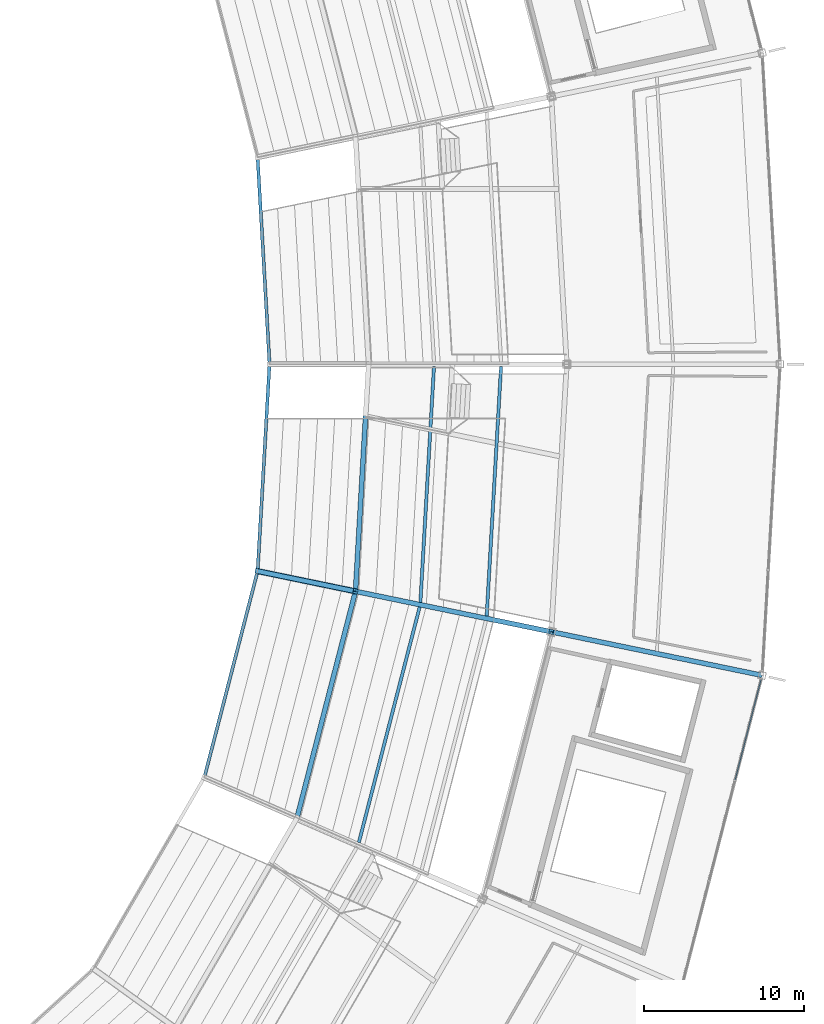
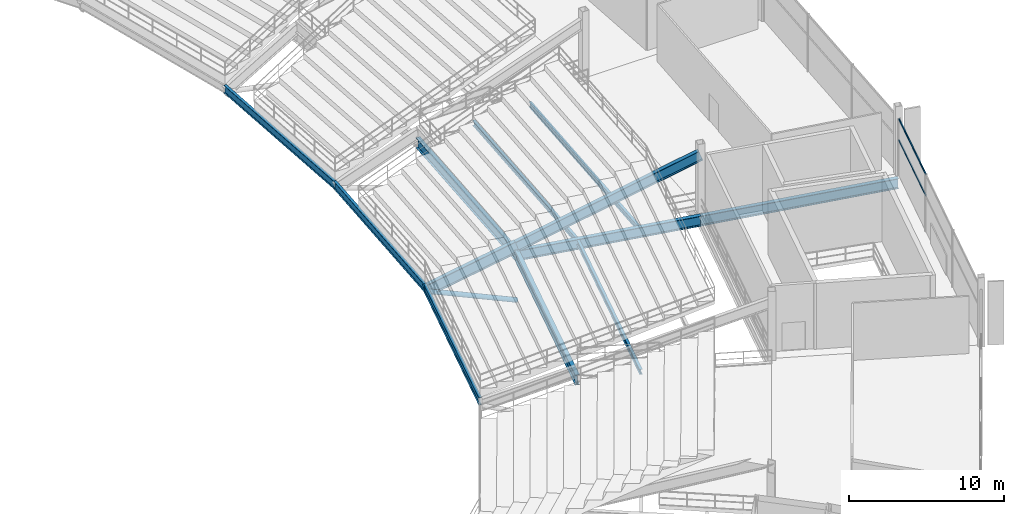
# One storey, part 68 of 186: 12 beams, 3 members, 1 element without a shape of its own.
"""IFC4 building model written with IfcOpenShell, lengths in metres."""

import ifcopenshell
import ifcopenshell.guid

model = None  # the IFC model being written
_history = None  # IfcOwnerHistory: only IFC2X3 demands one
_inside = {}  # id of a spatial element -> (the spatial element, [elements in it])
_under = {}  # id of a project, library or spatial element -> (it, [spatial elements below it])
_declared = {}  # id of a project -> (the project, [libraries it declares])
_typed = {}  # id of a type object -> (the type object, [elements of that type])
_made_of = {}  # id of a material, layer set ... -> (it, [elements and type objects made of it])


def new_model(schema):
    """Start an empty IFC model of exactly this schema.

    Asked for "IFC4X3", IfcOpenShell would pick the latest addendum, in which some entities
    have other attributes; the version numbers below select the first issue.
    IFC2X3 requires an IfcOwnerHistory on every rooted entity: one is made here for all.
    """
    global model, _history
    if schema == "IFC4X3":
        model = ifcopenshell.file(schema_version=(4, 3, 0, 0))
    else:
        model = ifcopenshell.file(schema=schema)
    _inside.clear()
    _under.clear()
    _declared.clear()
    _typed.clear()
    _made_of.clear()
    _history = None
    if model.schema == "IFC2X3":
        org = make("IfcOrganization", Name="unknown")
        user = make(
            "IfcPersonAndOrganization",
            ThePerson=make("IfcPerson", FamilyName="unknown"),
            TheOrganization=org,
        )
        app = make(
            "IfcApplication",
            ApplicationDeveloper=org,
            Version="unknown",
            ApplicationFullName="unknown",
            ApplicationIdentifier="unknown",
        )
        _history = make(
            "IfcOwnerHistory",
            OwningUser=user,
            OwningApplication=app,
            ChangeAction="ADDED",
            CreationDate=0,
        )
    return model


def make(cls, **values):
    """One entity of the class cls with the attributes given. An attribute that is None is left unset."""
    return model.create_entity(
        cls, **{name: value for name, value in values.items() if value is not None}
    )


def rooted(cls, **values):
    """An entity with a GlobalId (a new one), such as an element, a storey or a relation."""
    return make(cls, GlobalId=ifcopenshell.guid.new(), OwnerHistory=_history, **values)


def si_unit(unit_type, name, prefix=None):
    """IfcSIUnit, for example si_unit("LENGTHUNIT", "METRE", prefix="MILLI")."""
    return make("IfcSIUnit", UnitType=unit_type, Prefix=prefix, Name=name)


def assignment(units):
    """IfcUnitAssignment: the units of a project."""
    return None if units is None else make("IfcUnitAssignment", Units=units)


def point(xyz):
    """IfcCartesianPoint."""
    return None if xyz is None else make("IfcCartesianPoint", Coordinates=xyz)


def direction(xyz):
    """IfcDirection."""
    return None if xyz is None else make("IfcDirection", DirectionRatios=xyz)


def frame(location, z_axis=None, x_axis=None):
    """IfcAxis2Placement3D, a coordinate frame: its origin and axes. An axis left out is left unset."""
    return make(
        "IfcAxis2Placement3D",
        Location=point(location),
        Axis=direction(z_axis),
        RefDirection=direction(x_axis),
    )


def frame_2d(location, x_axis=None):
    """IfcAxis2Placement2D, a coordinate frame in the plane: its origin and x axis."""
    return make(
        "IfcAxis2Placement2D", Location=point(location), RefDirection=direction(x_axis)
    )


def origin():
    """The frame at (0, 0, 0) with its axes left unset."""
    return frame((0.0, 0.0, 0.0))


def origin_2d():
    """The frame at (0, 0) in the plane with its x axis left unset."""
    return frame_2d((0.0, 0.0))


def place(relative_to, where):
    """IfcLocalPlacement: puts the frame where relative to a parent placement (None: the world)."""
    return make(
        "IfcLocalPlacement", PlacementRelTo=relative_to, RelativePlacement=where
    )


def context(
    kind, dimensions, precision=None, world=None, true_north=None, identifier=None
):
    """IfcGeometricRepresentationContext, for example the 3D "Model" context."""
    return make(
        "IfcGeometricRepresentationContext",
        ContextIdentifier=identifier,
        ContextType=kind,
        CoordinateSpaceDimension=dimensions,
        Precision=precision,
        WorldCoordinateSystem=world,
        TrueNorth=true_north,
    )


def subcontext(parent, identifier, kind, view, scale=None):
    """IfcGeometricRepresentationSubContext, for example "Body" below "Model"."""
    return make(
        "IfcGeometricRepresentationSubContext",
        ContextIdentifier=identifier,
        ContextType=kind,
        ParentContext=parent,
        TargetScale=scale,
        TargetView=view,
    )


def project(units=None, contexts=None):
    """IfcProject with its units and contexts."""
    return rooted(
        "IfcProject",
        Name="project",
        RepresentationContexts=contexts,
        UnitsInContext=assignment(units),
    )


def spatial(cls, under=None, at=None, **own):
    """A site, building, storey or space (cls), placed at a placement, below another one or the project."""
    s = rooted(cls, ObjectPlacement=at, **own)
    if under is not None:
        _under.setdefault(under.id(), (under, []))[1].append(s)
    return s


def profile(cls, at=None, kind="AREA", **sizes):
    """A parametric profile (cls). Its sizes go by their IFC names, for example OverallWidth=200.0."""
    return make(cls, ProfileType=kind, Position=at, **sizes)


def hollow_rectangle(**sizes):
    """IfcRectangleHollowProfileDef."""
    return profile("IfcRectangleHollowProfileDef", **sizes)


def hollow_circle(**sizes):
    """IfcCircleHollowProfileDef."""
    return profile("IfcCircleHollowProfileDef", **sizes)


def i_section(**sizes):
    """IfcIShapeProfileDef."""
    return profile("IfcIShapeProfileDef", **sizes)


def extrude(swept, where, along, depth):
    """IfcExtrudedAreaSolid: the profile swept, set in the frame where, extruded along a direction by depth."""
    return make(
        "IfcExtrudedAreaSolid",
        SweptArea=swept,
        Position=where,
        ExtrudedDirection=direction(along),
        Depth=depth,
    )


def shape(context_of_items, identifier, shape_type, items):
    """IfcShapeRepresentation: the items that make up one representation, for example the "Body"."""
    return make(
        "IfcShapeRepresentation",
        ContextOfItems=context_of_items,
        RepresentationIdentifier=identifier,
        RepresentationType=shape_type,
        Items=items,
    )


def material(Name=None, Category=None):
    """IfcMaterial."""
    return make("IfcMaterial", Name=Name, Category=Category)


def layer(
    of_material, thickness, ventilated=None, Name=None, Category=None, Priority=None
):
    """IfcMaterialLayer: one layer of a wall or slab, of a material (None: an air gap)."""
    return make(
        "IfcMaterialLayer",
        Material=of_material,
        LayerThickness=thickness,
        IsVentilated=ventilated,
        Name=Name,
        Category=Category,
        Priority=Priority,
    )


def layer_set(layers, Name=None):
    """IfcMaterialLayerSet."""
    return make("IfcMaterialLayerSet", MaterialLayers=layers, LayerSetName=Name)


def material_profile(
    of_material, cross_section, Name=None, Category=None, Priority=None
):
    """IfcMaterialProfile: a cross section and its material."""
    return make(
        "IfcMaterialProfile",
        Name=Name,
        Material=of_material,
        Profile=cross_section,
        Priority=Priority,
        Category=Category,
    )


def profile_set(profiles, Name=None, composite=None):
    """IfcMaterialProfileSet."""
    return make(
        "IfcMaterialProfileSet",
        Name=Name,
        MaterialProfiles=profiles,
        CompositeProfile=composite,
    )


def made_of(thing, what):
    """Note that an element or type object is made of a material, layer set ...; save() writes the relation."""
    if what is not None:
        _made_of.setdefault(what.id(), (what, []))[1].append(thing)
    return thing


def type_object(cls, material=None, **own):
    """A type object (cls), such as IfcWallType, which elements share."""
    return made_of(rooted(cls, **own), material)


def element(
    cls,
    number,
    at=None,
    inside=None,
    cuts=None,
    type_object=None,
    material=None,
    context=None,
    identifier="Body",
    shape_type=None,
    held_by="IfcProductDefinitionShape",
    body=None,
    shapes=None,
    **own,
):
    """One element of the class cls, such as IfcWall. Its Tag is "e" and its number.

    at: its placement. inside: the storey or other place that contains it. cuts: it is an
    opening in that element (IfcRelVoidsElement). A single representation is given by context,
    identifier, shape_type and body (its items); several are given by shapes. held_by: the class
    of the entity that holds the representations. save() writes the other relations.
    """
    e = rooted(cls, Tag="e%d" % number, ObjectPlacement=at, **own)
    if body is not None:
        shapes = [shape(context, identifier, shape_type, body)]
    if shapes is not None:
        e.Representation = make(held_by, Representations=shapes)
    if inside is not None:
        _inside.setdefault(inside.id(), (inside, []))[1].append(e)
    if cuts is not None:
        rooted(
            "IfcRelVoidsElement", RelatingBuildingElement=cuts, RelatedOpeningElement=e
        )
    if type_object is not None:
        _typed.setdefault(type_object.id(), (type_object, []))[1].append(e)
    return made_of(e, material)


def aggregate(whole, parts):
    """IfcRelAggregates: a whole, such as a stair, and the parts it consists of."""
    return rooted("IfcRelAggregates", RelatingObject=whole, RelatedObjects=parts)


def save(model, path):
    """Write the relations noted so far, then the file.

    IfcRelAggregates (storeys below a building ...), IfcRelContainedInSpatialStructure (elements
    in a storey), IfcRelDefinesByType, IfcRelAssociatesMaterial and IfcRelDeclares: one each for
    every whole, place, type object, material and project.
    """
    for whole, parts in _under.values():
        aggregate(whole, parts)
    for where, things in _inside.values():
        rooted(
            "IfcRelContainedInSpatialStructure",
            RelatedElements=things,
            RelatingStructure=where,
        )
    for kind, things in _typed.values():
        rooted("IfcRelDefinesByType", RelatedObjects=things, RelatingType=kind)
    for what, things in _made_of.values():
        rooted("IfcRelAssociatesMaterial", RelatedObjects=things, RelatingMaterial=what)
    for by, libraries in _declared.values():
        rooted("IfcRelDeclares", RelatingContext=by, RelatedDefinitions=libraries)
    model.write(path)


model = new_model("IFC4")

# Units and contexts
model_context = context("Model", 3, precision=1e-05, world=origin(), true_north=direction((0.0, 1.0)))
body_context = subcontext(model_context, "Body", "Model", "MODEL_VIEW")
ifc_project = project(units=[si_unit("LENGTHUNIT", "METRE"), si_unit("AREAUNIT", "SQUARE_METRE"), si_unit("VOLUMEUNIT", "CUBIC_METRE"), si_unit("PLANEANGLEUNIT", "RADIAN"), si_unit("MASSUNIT", "GRAM", prefix="KILO")], contexts=[model_context])

# Site, building, storey
site_placement = place(None, origin())
site = spatial("IfcSite", under=ifc_project, at=site_placement, CompositionType="ELEMENT")
building_placement = place(site_placement, origin())
building = spatial("IfcBuilding", under=site, at=building_placement, Name="Kazemori Nagisa Stadium", CompositionType="ELEMENT")
storey_placement = place(building_placement, frame((0.0, 0.0, 20.39990234375)))
storey = spatial("IfcBuildingStorey", under=building, at=storey_placement, Name="L04", CompositionType="ELEMENT", Elevation=20.39990234375)

# Beams
ifc_material_1 = material(Name="Steel SN490B", Category="steel")
ifc_material_profile_1 = material_profile(ifc_material_1, i_section(OverallWidth=0.300048828125, OverallDepth=0.800048828125, WebThickness=0.013916015625, FlangeThickness=0.02587890625, FilletRadius=0.01806640625, at=origin_2d()), Name="H-800x300x14x26")
ifc_profile_set_1 = profile_set([ifc_material_profile_1], Name="Steel SN490B")
beam_type_1 = type_object("IfcBeamType", Name="Beam_BG-H800", PredefinedType="BEAM", material=ifc_profile_set_1)
beam_1_placement = place(storey_placement, frame((187.885986328125, 73.712890625, -0.699951171875), z_axis=(0.249966077383, 0.9682545947, 0.0), x_axis=(-0.9682545947, 0.249966077383, 0.0)))
element("IfcBeam", 1, at=beam_1_placement, inside=storey, type_object=beam_type_1, Name="Ring girder BG-H800 L04 R1-27", PredefinedType="BEAM", context=body_context, shape_type="SweptSolid", body=[
    extrude(i_section(OverallWidth=0.300048828125, OverallDepth=0.800048828125, WebThickness=0.013916015625, FlangeThickness=0.02587890625, FilletRadius=0.01806640625, at=origin_2d()), origin(), (0.0, 0.0, 1.0), 14.58984375),
])
beam_2_placement = place(storey_placement, frame((191.532958984375, 87.839599609375, -0.699951171875), z_axis=(0.057610061423, 0.998339161219, 0.0), x_axis=(-0.998339161219, 0.057610061423, 0.0)))
element("IfcBeam", 2, at=beam_2_placement, inside=storey, type_object=beam_type_1, Name="Ring girder BG-H800 L04 R1-28", PredefinedType="BEAM", context=body_context, shape_type="SweptSolid", body=[
    extrude(i_section(OverallWidth=0.300048828125, OverallDepth=0.800048828125, WebThickness=0.013916015625, FlangeThickness=0.02587890625, FilletRadius=0.01806640625, at=origin_2d()), origin(), (0.0, 0.0, 1.0), 14.183837890625),
])
beam_3_placement = place(storey_placement, frame((191.532958984375, 87.839599609375, -0.699951171875), z_axis=(0.979313861938, -0.202347127025, 0.0), x_axis=(0.202347127025, 0.979313861938, 0.0)))
element("IfcBeam", 3, at=beam_3_placement, inside=storey, type_object=beam_type_1, Name="Radial girder BG-H800 L04 R1-R2-28", PredefinedType="BEAM", context=body_context, shape_type="SweptSolid", body=[
    extrude(i_section(OverallWidth=0.300048828125, OverallDepth=0.800048828125, WebThickness=0.013916015625, FlangeThickness=0.02587890625, FilletRadius=0.01806640625, at=origin_2d()), origin(), (0.0, 0.0, 1.0), 12.46240234375),
])
beam_4_placement = place(storey_placement, frame((203.737548828125, 85.31787109375, -0.699951171875), z_axis=(0.979315516463, -0.202339119339, 0.0), x_axis=(0.202339119339, 0.979315516463, 0.0)))
element("IfcBeam", 4, at=beam_4_placement, inside=storey, type_object=beam_type_1, Name="Radial girder BG-H800 L04 R2-R3-28", PredefinedType="BEAM", context=body_context, shape_type="SweptSolid", body=[
    extrude(i_section(OverallWidth=0.300048828125, OverallDepth=0.800048828125, WebThickness=0.013916015625, FlangeThickness=0.02587890625, FilletRadius=0.01806640625, at=origin_2d()), origin(), (0.0, 0.0, 1.0), 13.4208984375),
])
ifc_material_profile_2 = material_profile(ifc_material_1, i_section(OverallWidth=0.199951171875, OverallDepth=0.39990234375, WebThickness=0.008056640625, FlangeThickness=0.012939453125, FilletRadius=0.012939453125, at=origin_2d()), Name="H-400x200x8x13")
ifc_profile_set_2 = profile_set([ifc_material_profile_2], Name="Steel SN490B")
beam_type_2 = type_object("IfcBeamType", Name="Beam_BJ-H400", PredefinedType="JOIST", material=ifc_profile_set_2)
beam_5_placement = place(storey_placement, frame((191.744384765625, 72.18701171875, -0.5), z_axis=(0.249963255877, 0.9682553231, 0.0), x_axis=(-0.9682553231, 0.249963255877, 0.0)))
element("IfcBeam", 5, at=beam_5_placement, inside=storey, type_object=beam_type_2, Name="Concourse joist BJ-H400 L04 B27-1", PredefinedType="JOIST", context=body_context, shape_type="SweptSolid", body=[
    extrude(i_section(OverallWidth=0.199951171875, OverallDepth=0.39990234375, WebThickness=0.008056640625, FlangeThickness=0.012939453125, FilletRadius=0.012939453125, at=origin_2d()), origin(), (0.0, 0.0, 1.0), 15.159423828125),
])
beam_6_placement = place(storey_placement, frame((195.578125, 87.150390625, -0.5), z_axis=(0.057615279138, 0.998338860112, 0.0), x_axis=(-0.998338860112, 0.057615279138, 0.0)))
element("IfcBeam", 6, at=beam_6_placement, inside=storey, type_object=beam_type_2, Name="Concourse joist BJ-H400 L04 B28-1", PredefinedType="JOIST", context=body_context, shape_type="SweptSolid", body=[
    extrude(i_section(OverallWidth=0.199951171875, OverallDepth=0.39990234375, WebThickness=0.008056640625, FlangeThickness=0.012939453125, FilletRadius=0.012939453125, at=origin_2d()), origin(), (0.0, 0.0, 1.0), 14.729248046875),
])
beam_7_placement = place(storey_placement, frame((199.708984375, 86.296875, -0.5), z_axis=(0.057603441248, 0.99833954322, 0.0), x_axis=(-0.99833954322, 0.057603441248, 0.0)))
element("IfcBeam", 7, at=beam_7_placement, inside=storey, type_object=beam_type_2, Name="Concourse joist BJ-H400 L04 B28-2", PredefinedType="JOIST", context=body_context, shape_type="SweptSolid", body=[
    extrude(i_section(OverallWidth=0.199951171875, OverallDepth=0.39990234375, WebThickness=0.008056640625, FlangeThickness=0.012939453125, FilletRadius=0.012939453125, at=origin_2d()), origin(), (0.0, 0.0, 1.0), 15.584228515625),
])
ifc_material_profile_3 = material_profile(ifc_material_1, i_section(OverallWidth=0.199951171875, OverallDepth=0.60009765625, WebThickness=0.010986328125, FlangeThickness=0.01708984375, FilletRadius=0.012939453125, at=origin_2d()), Name="H-600x200x11x17")
ifc_profile_set_3 = profile_set([ifc_material_profile_3], Name="Steel SN490B")
beam_type_3 = type_object("IfcBeamType", Name="Beam_BS-H600", PredefinedType="SPANDREL", material=ifc_profile_set_3)
beam_8_placement = place(storey_placement, frame((186.175048828125, 102.0, -1.885009765625), z_axis=(-0.057611021531, 0.998339105814, 0.0), x_axis=(-0.998339105814, -0.057611021531, 0.0)))
element("IfcBeam", 8, at=beam_8_placement, inside=storey, type_object=beam_type_3, Name="Upper tier front ring beam 01", PredefinedType="SPANDREL", context=body_context, shape_type="SweptSolid", body=[
    extrude(i_section(OverallWidth=0.199951171875, OverallDepth=0.60009765625, WebThickness=0.010986328125, FlangeThickness=0.01708984375, FilletRadius=0.012939453125, at=origin_2d()), origin(), (0.0, 0.0, 1.0), 12.9208984375),
])
beam_9_placement = place(storey_placement, frame((182.1083984375, 76.2314453125, -1.885009765625), z_axis=(0.249962460732, 0.968255528373, 0.0), x_axis=(-0.968255528373, 0.249962460732, 0.0)))
element("IfcBeam", 9, at=beam_9_placement, inside=storey, type_object=beam_type_3, Name="Upper tier front ring beam 27", PredefinedType="SPANDREL", context=body_context, shape_type="SweptSolid", body=[
    extrude(i_section(OverallWidth=0.199951171875, OverallDepth=0.60009765625, WebThickness=0.010986328125, FlangeThickness=0.01708984375, FilletRadius=0.012939453125, at=origin_2d()), origin(), (0.0, 0.0, 1.0), 13.291015625),
])
beam_10_placement = place(storey_placement, frame((185.4306640625, 89.1005859375, -1.885009765625), z_axis=(0.057611021531, 0.998339105814, 0.0), x_axis=(-0.998339105814, 0.057611021531, 0.0)))
element("IfcBeam", 10, at=beam_10_placement, inside=storey, type_object=beam_type_3, Name="Upper tier front ring beam 28", PredefinedType="SPANDREL", context=body_context, shape_type="SweptSolid", body=[
    extrude(i_section(OverallWidth=0.199951171875, OverallDepth=0.60009765625, WebThickness=0.010986328125, FlangeThickness=0.01708984375, FilletRadius=0.012939453125, at=origin_2d()), origin(), (0.0, 0.0, 1.0), 12.9208984375),
])
ifc_material_profile_4 = material_profile(ifc_material_1, i_section(OverallWidth=0.300048828125, OverallDepth=0.800048828125, WebThickness=0.013916015625, FlangeThickness=0.02587890625, FilletRadius=0.01806640625, at=origin_2d()), Name="H-800x300x14x26")
ifc_profile_set_4 = profile_set([ifc_material_profile_4], Name="Steel SN490B")
beam_type_4 = type_object("IfcBeamType", Name="Beam_RK-ST800", PredefinedType="USERDEFINED", material=ifc_profile_set_4)
beam_11_placement = place(storey_placement, frame((191.532958984375, 87.839599609375, 0.02001953125), z_axis=(0.922744839071, -0.190658760607, 0.334949546905), x_axis=(0.202347127025, 0.979313861938, 0.0)))
element("IfcBeam", 11, at=beam_11_placement, inside=storey, type_object=beam_type_4, Name="Raker beam upper backspan RK3-28B", ObjectType="RAKER BEAM", PredefinedType="USERDEFINED", context=body_context, shape_type="SweptSolid", body=[
    extrude(i_section(OverallWidth=0.300048828125, OverallDepth=0.800048828125, WebThickness=0.013916015625, FlangeThickness=0.02587890625, FilletRadius=0.01806640625, at=origin_2d()), origin(), (0.0, 0.0, 1.0), 13.226318359375),
])
ifc_material_profile_5 = material_profile(ifc_material_1, i_section(OverallWidth=0.300048828125, OverallDepth=0.89990234375, WebThickness=0.01611328125, FlangeThickness=0.028076171875, FilletRadius=0.01806640625, at=origin_2d()), Name="H-900x300x16x28")
ifc_profile_set_5 = profile_set([ifc_material_profile_5], Name="Steel SN490B")
beam_type_5 = type_object("IfcBeamType", Name="Beam_RK-ST900", PredefinedType="USERDEFINED", material=ifc_profile_set_5)
beam_12_placement = place(storey_placement, frame((185.4306640625, 89.1005859375, -2.14990234375), z_axis=(0.924838040784, -0.191109761178, 0.328864193098), x_axis=(0.202365915, 0.979309979754, 0.0)))
element("IfcBeam", 12, at=beam_12_placement, inside=storey, type_object=beam_type_5, Name="Raker beam upper cantilever RK3-28A", ObjectType="RAKER BEAM", PredefinedType="USERDEFINED", context=body_context, shape_type="SweptSolid", body=[
    extrude(i_section(OverallWidth=0.300048828125, OverallDepth=0.89990234375, WebThickness=0.01611328125, FlangeThickness=0.028076171875, FilletRadius=0.01806640625, at=origin_2d()), origin(), (0.0, 0.0, 1.0), 6.59814453125),
])

# Member
ifc_material_2 = material(Name="Steel STK490", Category="steel")
ifc_material_profile_6 = material_profile(ifc_material_2, hollow_circle(Radius=0.177734375, WallThickness=0.0126953125, at=origin_2d()), Name="CHS-355.6x12.7")
ifc_profile_set_6 = profile_set([ifc_material_profile_6], Name="Steel STK490")
member_type_1 = type_object("IfcMemberType", Name="Member_TB-CHS355", PredefinedType="BRACE", material=ifc_profile_set_6)
member_1_placement = place(storey_placement, frame((191.532958984375, 87.839599609375, -4.25), z_axis=(-0.928021170057, 0.191767527239, 0.319377399673), x_axis=(-0.202365915, -0.979309979754, 0.0)))
element("IfcMember", 13, at=member_1_placement, inside=storey, type_object=member_type_1, Name="Upper tier cantilever truss strut UT-28", PredefinedType="BRACE", context=body_context, shape_type="SweptSolid", body=[
    extrude(hollow_circle(Radius=0.177734375, WallThickness=0.0126953125, at=origin_2d()), origin(), (0.0, 0.0, 1.0), 6.57568359375),
])

# Curtain wall, members
ifc_material_3 = material(Name="Anodised aluminium 6063-T5", Category="aluminium")
ifc_layer = layer(ifc_material_3, 0.179931640625, Name="Anodised aluminium 6063-T5", Category="aluminium")
ifc_layer_set = layer_set([ifc_layer], Name="Anodised aluminium 6063-T5")
curtain_wall_type = type_object("IfcCurtainWallType", Name="CW_L04R3_98", PredefinedType="USERDEFINED", material=ifc_layer_set)
curtain_wall_placement = place(storey_placement, origin())
curtain_wall = element("IfcCurtainWall", 14, at=curtain_wall_placement, inside=storey, type_object=curtain_wall_type, Name="Unitised curtain wall CW-L04R3-98 L04", ObjectType="UNITISED CURTAIN WALL", PredefinedType="USERDEFINED")
ifc_material_4 = material(Name="Aluminium 6063-T5 anodised", Category="aluminium")
ifc_material_profile_7 = material_profile(ifc_material_4, hollow_rectangle(XDim=0.070068359375, YDim=0.139892578125, WallThickness=0.00390625, at=origin_2d()), Name="ALU-TRAN-70x140x4")
ifc_profile_set_7 = profile_set([ifc_material_profile_7], Name="Aluminium 6063-T5 anodised")
member_type_2 = type_object("IfcMemberType", Name="Transom_T01", PredefinedType="USERDEFINED", material=ifc_profile_set_7)
member_2_placement = place(storey_placement, frame((215.19921875, 76.0888671875, 2.80859375), z_axis=(0.249971861357, 0.968253101482, 0.0), x_axis=(-0.968253101482, 0.249971861357, 0.0)))
member_2 = element("IfcMember", 15, at=member_2_placement, type_object=member_type_2, Name="Curtain wall transom CW-L04R3-98-T3-mid", ObjectType="TRANSOM", PredefinedType="USERDEFINED", context=body_context, shape_type="SweptSolid", body=[
    extrude(hollow_rectangle(XDim=0.070068359375, YDim=0.139892578125, WallThickness=0.00390625, at=origin_2d()), origin(), (0.0, 0.0, 1.0), 6.451904296875),
])
member_3_placement = place(storey_placement, frame((215.19921875, 76.0888671875, 4.460205078125), z_axis=(0.249971861357, 0.968253101482, 0.0), x_axis=(-0.968253101482, 0.249971861357, 0.0)))
member_3 = element("IfcMember", 16, at=member_3_placement, type_object=member_type_2, Name="Curtain wall transom CW-L04R3-98-T3-head", ObjectType="TRANSOM", PredefinedType="USERDEFINED", context=body_context, shape_type="SweptSolid", body=[
    extrude(hollow_rectangle(XDim=0.070068359375, YDim=0.139892578125, WallThickness=0.00390625, at=origin_2d()), origin(), (0.0, 0.0, 1.0), 6.451904296875),
])
aggregate(curtain_wall, [member_2, member_3])

save(model, "model.ifc")
